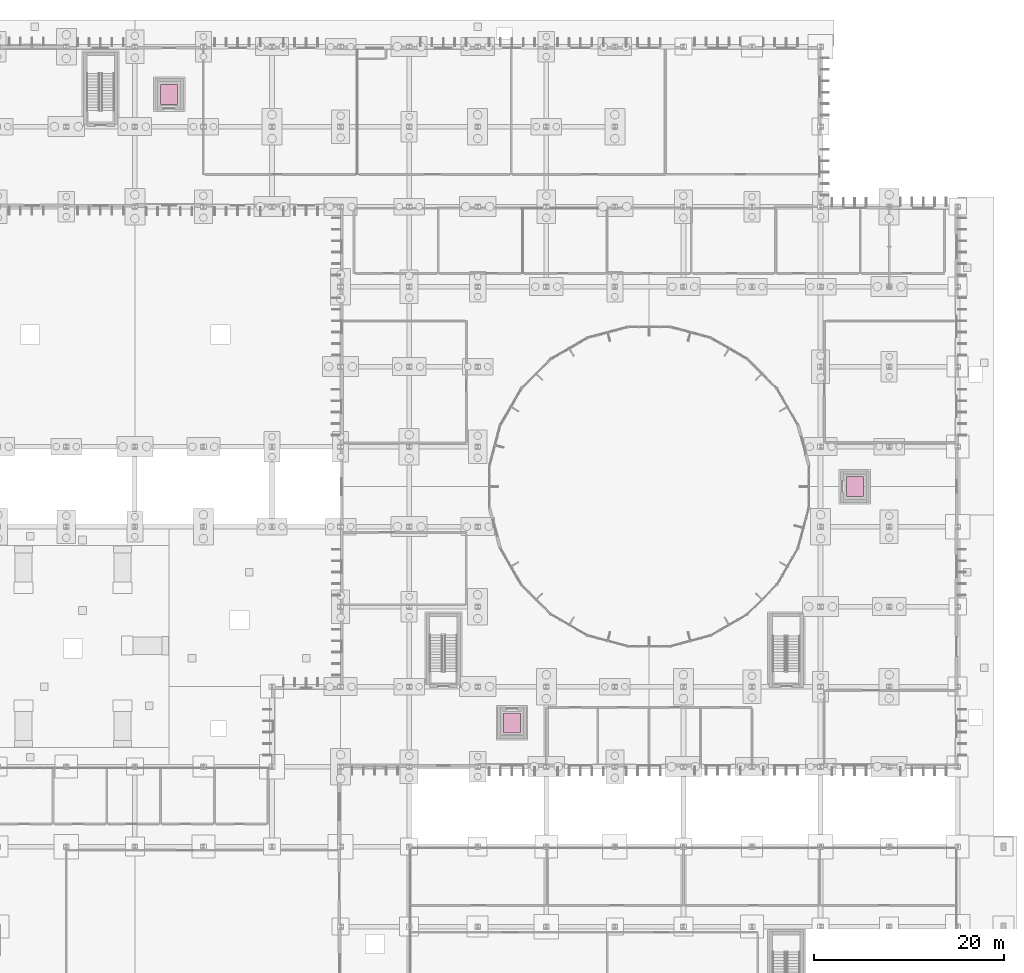
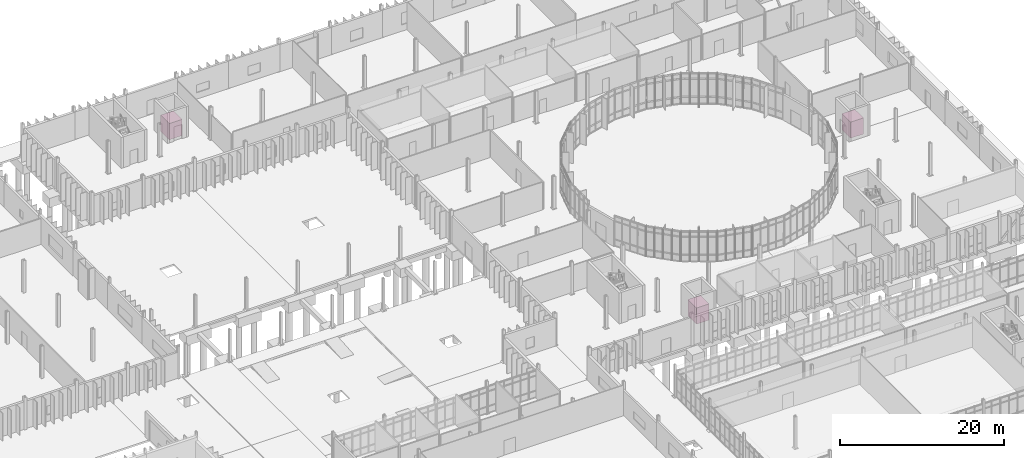
# One storey, part 118 of 118: 3 transport elements.
"""IFC4 building model written with IfcOpenShell, lengths in metres."""

from ifc_helpers import new_model, si_unit, direction, frame, origin, origin_2d, place, context, subcontext, project, spatial, rectangle, extrude, material, type_object, element, save


model = new_model("IFC4")

# Units and contexts
model_context = context("Model", 3, precision=1e-05, world=origin(), true_north=direction((0.0, 1.0)))
body_context = subcontext(model_context, "Body", "Model", "MODEL_VIEW")
ifc_project = project(units=[si_unit("LENGTHUNIT", "METRE"), si_unit("AREAUNIT", "SQUARE_METRE"), si_unit("VOLUMEUNIT", "CUBIC_METRE"), si_unit("PLANEANGLEUNIT", "RADIAN"), si_unit("MASSUNIT", "GRAM", prefix="KILO")], contexts=[model_context])

# Site, building, storey
site_placement = place(None, origin())
site = spatial("IfcSite", under=ifc_project, at=site_placement, CompositionType="ELEMENT")
building_placement = place(site_placement, origin())
building = spatial("IfcBuilding", under=site, at=building_placement, Name="Qelthora Terrace Specialist Clinic", CompositionType="ELEMENT")
storey_placement = place(building_placement, origin())
storey = spatial("IfcBuildingStorey", under=building, at=storey_placement, Name="L00", CompositionType="ELEMENT", Elevation=0.0)

# Transport elements
ifc_material = material(Name="Steel S355", Category="steel")
transport_element_type = type_object("IfcTransportElementType", Name="LFT-PASSENGER-1600", PredefinedType="ELEVATOR", material=ifc_material)
for number, where, z_axis, x_axis, name in (
    (1, (111.60009765625, 38.199951171875, 0.0), (0.0, 0.0, 1.0), (1.0, 0.0, 0.0), "Outpatient Passenger Lift PL-01"),
    (2, (147.60009765625, 63.0, 0.0), (0.0, 0.0, 1.0), (1.0, 0.0, 0.0), "Outpatient Passenger Lift PL-02"),
    (3, (75.60009765625, 104.199951171875, 0.0), (0.0, 0.0, 1.0), (1.0, 0.0, 0.0), "Research and Teaching Passenger Lift PL-04"),
):
    element("IfcTransportElement", number, at=place(storey_placement, frame(where, z_axis=z_axis, x_axis=x_axis)), inside=storey, type_object=transport_element_type, Name=name, PredefinedType="ELEVATOR", context=body_context, shape_type="SweptSolid", body=[
        extrude(rectangle(XDim=1.800048828125, YDim=2.10009765625, at=origin_2d()), origin(), (0.0, 0.0, 1.0), 2.39990234375),
    ])

save(model, "model.ifc")
